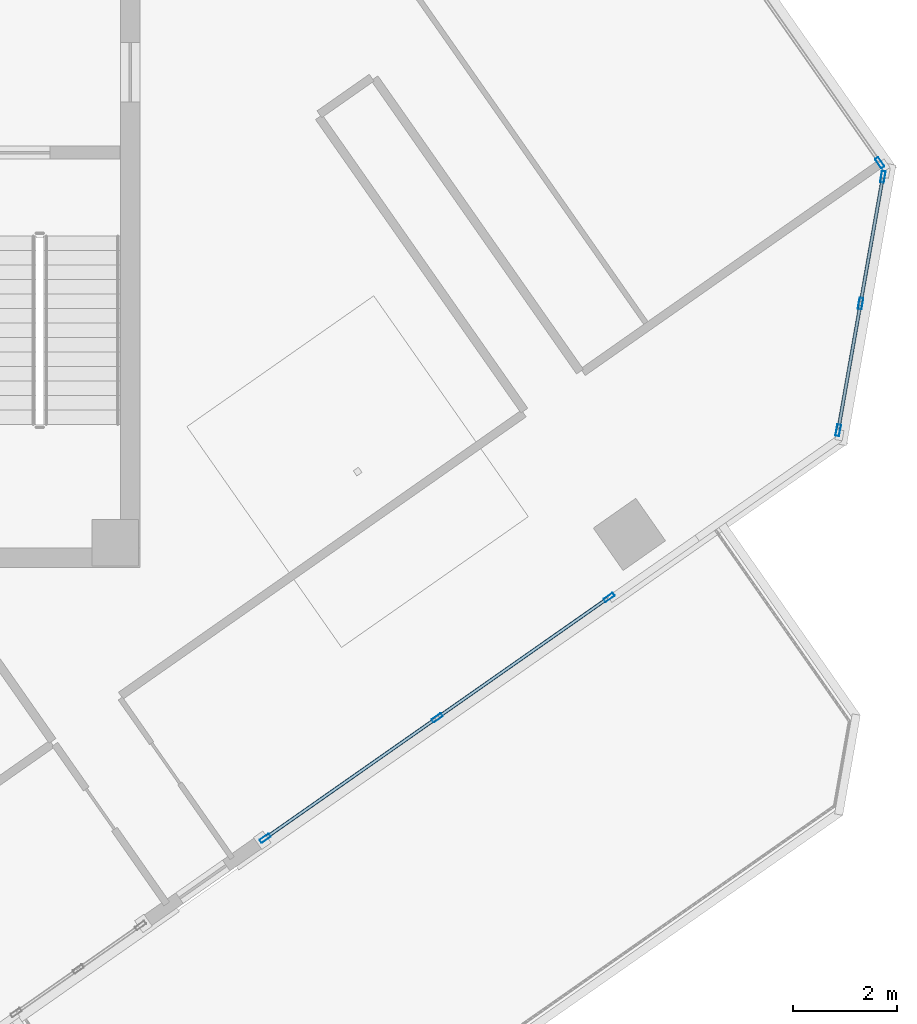
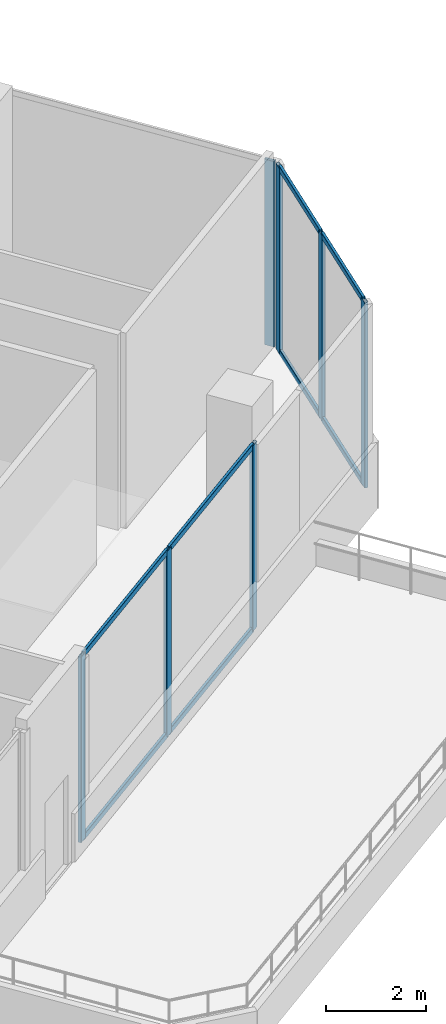
# One storey, part 5 of 16: 15 members, 3 elements without a shape of their own.
"""IFC4 building model written with IfcOpenShell, lengths in metres."""

from ifc_helpers import new_model, si_unit, direction, frame, origin, origin_2d, place, context, subcontext, project, spatial, hollow_rectangle, extrude, source, transform, mapped, material, material_profile, profile_set, type_object, element, aggregate, save


model = new_model("IFC4")

# Units and contexts
model_context = context("Model", 3, precision=1e-05, world=origin(), true_north=direction((0.0, 1.0)))
body_context = subcontext(model_context, "Body", "Model", "MODEL_VIEW")
ifc_project = project(units=[si_unit("LENGTHUNIT", "METRE"), si_unit("AREAUNIT", "SQUARE_METRE"), si_unit("VOLUMEUNIT", "CUBIC_METRE"), si_unit("PLANEANGLEUNIT", "RADIAN"), si_unit("MASSUNIT", "GRAM", prefix="KILO")], contexts=[model_context])

# Site, building, storey
site_placement = place(None, origin())
site = spatial("IfcSite", under=ifc_project, at=site_placement, CompositionType="ELEMENT")
building_placement = place(site_placement, origin())
building = spatial("IfcBuilding", under=site, at=building_placement, Name="Torre Montelarca", CompositionType="ELEMENT")
storey_placement = place(building_placement, frame((0.0, 0.0, 293.800048828125)))
storey = spatial("IfcBuildingStorey", under=building, at=storey_placement, Name="L66", CompositionType="ELEMENT", Elevation=293.800048828125)

# Curtain wall, members
ifc_material_1 = material(Name="Insulated low-E laminated glass", Category="glass")
curtain_wall_type = type_object("IfcCurtainWallType", Name="CW-SYS-Z4", PredefinedType="USERDEFINED", material=ifc_material_1)
curtain_wall_1_placement = place(storey_placement, origin())
curtain_wall_1 = element("IfcCurtainWall", 1, at=curtain_wall_1_placement, inside=storey, type_object=curtain_wall_type, Name="L66 Curtain Wall Run CW-T3-L66-E06-B2", ObjectType="UNITISED GLAZING", PredefinedType="USERDEFINED")
ifc_material_2 = material(Name="Anodised aluminium AA 6063-T6", Category="aluminium")
ifc_material_profile_1 = material_profile(ifc_material_2, hollow_rectangle(XDim=0.074951171875, YDim=0.219970703125, WallThickness=0.0048828125, InnerFilletRadius=0.0048828125, OuterFilletRadius=0.010009765625, at=origin_2d()), Name="ALU75X220X5", Category="aluminium")
ifc_profile_set_1 = profile_set([ifc_material_profile_1], Name="Anodised aluminium AA 6063-T6")
member_type_1 = type_object("IfcMemberType", Name="CWM-ALU220", PredefinedType="MULLION", material=ifc_profile_set_1)
shared_shape_1 = source(origin(), body_context, "Body", "SweptSolid", [
    extrude(hollow_rectangle(XDim=0.074951171875, YDim=0.219970703125, WallThickness=0.0048828125, InnerFilletRadius=0.0048828125, OuterFilletRadius=0.010009765625, at=origin_2d()), origin(), (0.0, 0.0, 1.0), 4.52001953125),
])
member_1_placement = place(storey_placement, frame((29.34375, 18.85107421875, 0.0), z_axis=(0.0, 0.0, 1.0), x_axis=(-0.573569074997, 0.819157198715, 0.0)))
member_1 = element("IfcMember", 2, at=member_1_placement, type_object=member_type_1, Name="CW mullion 1", PredefinedType="MULLION", context=body_context, shape_type="MappedRepresentation", body=[
    mapped(shared_shape_1, transform((0.0, 0.0, 0.0), scale=1.0)),
])
member_2_placement = place(storey_placement, frame((32.660888671875, 21.173828125, 0.0), z_axis=(0.0, 0.0, 1.0), x_axis=(-0.573569074997, 0.819157198715, 0.0)))
member_2 = element("IfcMember", 3, at=member_2_placement, type_object=member_type_1, Name="CW mullion 2", PredefinedType="MULLION", context=body_context, shape_type="MappedRepresentation", body=[
    mapped(shared_shape_1, transform((0.0, 0.0, 0.0), scale=1.0)),
])
member_3_placement = place(storey_placement, frame((35.978271484375, 23.49658203125, 0.0), z_axis=(0.0, 0.0, 1.0), x_axis=(-0.573569074997, 0.819157198715, 0.0)))
member_3 = element("IfcMember", 4, at=member_3_placement, type_object=member_type_1, Name="CW mullion 3", PredefinedType="MULLION", context=body_context, shape_type="MappedRepresentation", body=[
    mapped(shared_shape_1, transform((0.0, 0.0, 0.0), scale=1.0)),
])

curtain_wall_2_placement = place(storey_placement, origin())
curtain_wall_2 = element("IfcCurtainWall", 5, at=curtain_wall_2_placement, inside=storey, type_object=curtain_wall_type, Name="L66 Curtain Wall Run CW-T3-L66-E07-B1", ObjectType="UNITISED GLAZING", PredefinedType="USERDEFINED")
member_4_placement = place(storey_placement, frame((40.39794921875, 26.72021484375, 0.0), z_axis=(0.0, 0.0, 1.0), x_axis=(-0.984814090721, 0.173612230899, 0.0)))
member_4 = element("IfcMember", 6, at=member_4_placement, type_object=member_type_1, Name="CW mullion 1", PredefinedType="MULLION", context=body_context, shape_type="MappedRepresentation", body=[
    mapped(shared_shape_1, transform((0.0, 0.0, 0.0), scale=1.0)),
])
member_5_placement = place(storey_placement, frame((40.8291015625, 29.166259765625, 0.0), z_axis=(0.0, 0.0, 1.0), x_axis=(-0.984814090721, 0.173612230899, 0.0)))
member_5 = element("IfcMember", 7, at=member_5_placement, type_object=member_type_1, Name="CW mullion 2", PredefinedType="MULLION", context=body_context, shape_type="MappedRepresentation", body=[
    mapped(shared_shape_1, transform((0.0, 0.0, 0.0), scale=1.0)),
])
member_6_placement = place(storey_placement, frame((41.26025390625, 31.612060546875, 0.0), z_axis=(0.0, 0.0, 1.0), x_axis=(-0.984814090721, 0.173612230899, 0.0)))
member_6 = element("IfcMember", 8, at=member_6_placement, type_object=member_type_1, Name="CW mullion 3", PredefinedType="MULLION", context=body_context, shape_type="MappedRepresentation", body=[
    mapped(shared_shape_1, transform((0.0, 0.0, 0.0), scale=1.0)),
])

# Curtain wall, member
curtain_wall_3_placement = place(storey_placement, origin())
curtain_wall_3 = element("IfcCurtainWall", 9, at=curtain_wall_3_placement, inside=storey, type_object=curtain_wall_type, Name="L66 Curtain Wall Run CW-T3-L66-E08-B1", ObjectType="UNITISED GLAZING", PredefinedType="USERDEFINED")
member_7_placement = place(storey_placement, frame((41.200439453125, 31.8818359375, 0.0), z_axis=(0.0, 0.0, 1.0), x_axis=(-0.819155860287, -0.573570986503, 0.0)))
member_7 = element("IfcMember", 10, at=member_7_placement, type_object=member_type_1, Name="CW mullion 1", PredefinedType="MULLION", context=body_context, shape_type="MappedRepresentation", body=[
    mapped(shared_shape_1, transform((0.0, 0.0, 0.0), scale=1.0)),
])
aggregate(curtain_wall_3, [member_7])

# Member
ifc_material_profile_2 = material_profile(ifc_material_2, hollow_rectangle(XDim=0.06494140625, YDim=0.139892578125, WallThickness=0.00390625, InnerFilletRadius=0.00390625, OuterFilletRadius=0.008056640625, at=origin_2d()), Name="ALU65X140X4", Category="aluminium")
ifc_profile_set_2 = profile_set([ifc_material_profile_2], Name="Anodised aluminium AA 6063-T6")
member_type_2 = type_object("IfcMemberType", Name="CWT-ALU140", PredefinedType="USERDEFINED", material=ifc_profile_set_2)
shared_shape_2 = source(origin(), body_context, "Body", "SweptSolid", [
    extrude(hollow_rectangle(XDim=0.06494140625, YDim=0.139892578125, WallThickness=0.00390625, InnerFilletRadius=0.00390625, OuterFilletRadius=0.008056640625, at=origin_2d()), origin(), (0.0, 0.0, 1.0), 2.40869140625),
])
member_8_placement = place(storey_placement, frame((40.404541015625, 26.757080078125, 0.032470703125), z_axis=(0.173530903918, 0.984828424339, 0.0), x_axis=(-0.984828424339, 0.173530903918, 0.0)))
member_8 = element("IfcMember", 11, at=member_8_placement, type_object=member_type_2, Name="CW transom 1.1", ObjectType="TRANSOM", PredefinedType="USERDEFINED", context=body_context, shape_type="MappedRepresentation", body=[
    mapped(shared_shape_2, transform((0.0, 0.0, 0.0), scale=1.0)),
])

member_9_placement = place(storey_placement, frame((40.404541015625, 26.757080078125, 4.487548828125), z_axis=(0.173530903918, 0.984828424339, 0.0), x_axis=(-0.984828424339, 0.173530903918, 0.0)))
member_9 = element("IfcMember", 12, at=member_9_placement, type_object=member_type_2, Name="CW transom 1.2", ObjectType="TRANSOM", PredefinedType="USERDEFINED", context=body_context, shape_type="MappedRepresentation", body=[
    mapped(shared_shape_2, transform((0.0, 0.0, 0.0), scale=1.0)),
])

member_10_placement = place(storey_placement, frame((40.835693359375, 29.203125, 0.032470703125), z_axis=(0.173530903918, 0.984828424339, 0.0), x_axis=(-0.984828424339, 0.173530903918, 0.0)))
member_10 = element("IfcMember", 13, at=member_10_placement, type_object=member_type_2, Name="CW transom 2.1", ObjectType="TRANSOM", PredefinedType="USERDEFINED", context=body_context, shape_type="MappedRepresentation", body=[
    mapped(shared_shape_2, transform((0.0, 0.0, 0.0), scale=1.0)),
])

member_11_placement = place(storey_placement, frame((40.835693359375, 29.203125, 4.487548828125), z_axis=(0.173530903918, 0.984828424339, 0.0), x_axis=(-0.984828424339, 0.173530903918, 0.0)))
member_11 = element("IfcMember", 14, at=member_11_placement, type_object=member_type_2, Name="CW transom 2.2", ObjectType="TRANSOM", PredefinedType="USERDEFINED", context=body_context, shape_type="MappedRepresentation", body=[
    mapped(shared_shape_2, transform((0.0, 0.0, 0.0), scale=1.0)),
])

aggregate(curtain_wall_2, [member_4, member_5, member_6, member_8, member_9, member_10, member_11])

shared_shape_3 = source(origin(), body_context, "Body", "SweptSolid", [
    extrude(hollow_rectangle(XDim=0.06494140625, YDim=0.139892578125, WallThickness=0.00390625, InnerFilletRadius=0.00390625, OuterFilletRadius=0.008056640625, at=origin_2d()), origin(), (0.0, 0.0, 1.0), 3.974609375),
])
member_12_placement = place(storey_placement, frame((29.37451171875, 18.87255859375, 0.032470703125), z_axis=(0.819151112968, 0.573577766414, 0.0), x_axis=(-0.573577766414, 0.819151112968, 0.0)))
member_12 = element("IfcMember", 15, at=member_12_placement, type_object=member_type_2, Name="CW transom 1.1", ObjectType="TRANSOM", PredefinedType="USERDEFINED", context=body_context, shape_type="MappedRepresentation", body=[
    mapped(shared_shape_3, transform((0.0, 0.0, 0.0), scale=1.0)),
])

member_13_placement = place(storey_placement, frame((29.37451171875, 18.87255859375, 4.487548828125), z_axis=(0.819151112968, 0.573577766414, 0.0), x_axis=(-0.573577766414, 0.819151112968, 0.0)))
member_13 = element("IfcMember", 16, at=member_13_placement, type_object=member_type_2, Name="CW transom 1.2", ObjectType="TRANSOM", PredefinedType="USERDEFINED", context=body_context, shape_type="MappedRepresentation", body=[
    mapped(shared_shape_3, transform((0.0, 0.0, 0.0), scale=1.0)),
])

member_14_placement = place(storey_placement, frame((32.691650390625, 21.1953125, 0.032470703125), z_axis=(0.819151112968, 0.573577766414, 0.0), x_axis=(-0.573577766414, 0.819151112968, 0.0)))
member_14 = element("IfcMember", 17, at=member_14_placement, type_object=member_type_2, Name="CW transom 2.1", ObjectType="TRANSOM", PredefinedType="USERDEFINED", context=body_context, shape_type="MappedRepresentation", body=[
    mapped(shared_shape_3, transform((0.0, 0.0, 0.0), scale=1.0)),
])

member_15_placement = place(storey_placement, frame((32.691650390625, 21.1953125, 4.487548828125), z_axis=(0.819151112968, 0.573577766414, 0.0), x_axis=(-0.573577766414, 0.819151112968, 0.0)))
member_15 = element("IfcMember", 18, at=member_15_placement, type_object=member_type_2, Name="CW transom 2.2", ObjectType="TRANSOM", PredefinedType="USERDEFINED", context=body_context, shape_type="MappedRepresentation", body=[
    mapped(shared_shape_3, transform((0.0, 0.0, 0.0), scale=1.0)),
])

aggregate(curtain_wall_1, [member_1, member_2, member_3, member_12, member_13, member_14, member_15])

save(model, "model.ifc")
